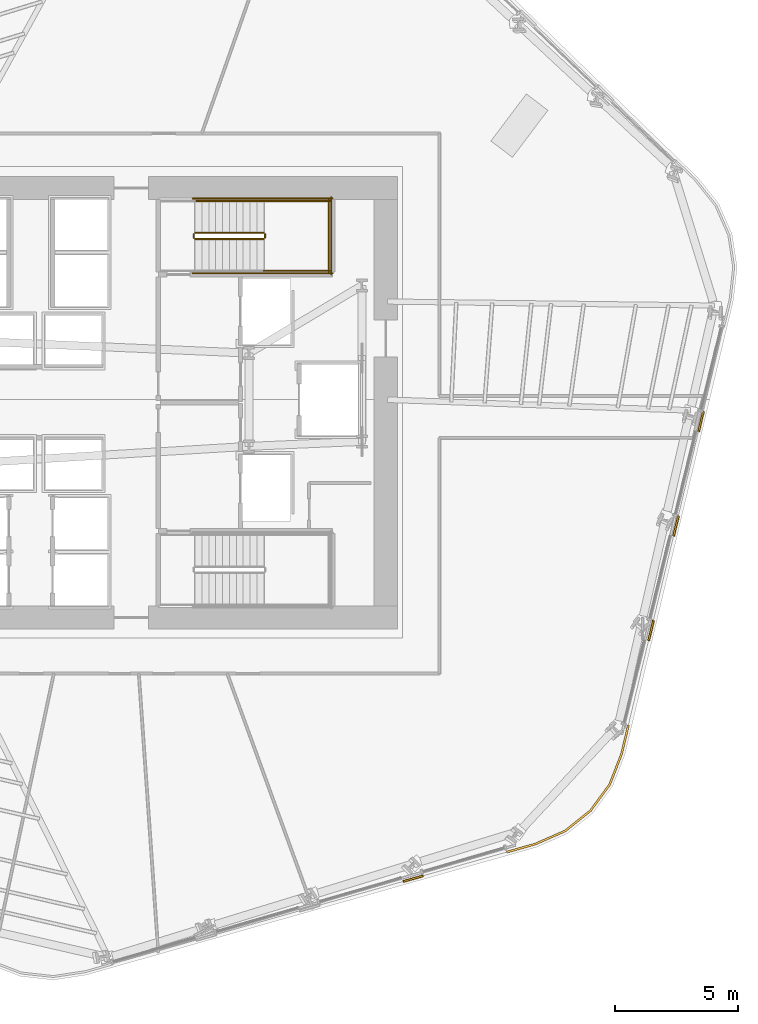
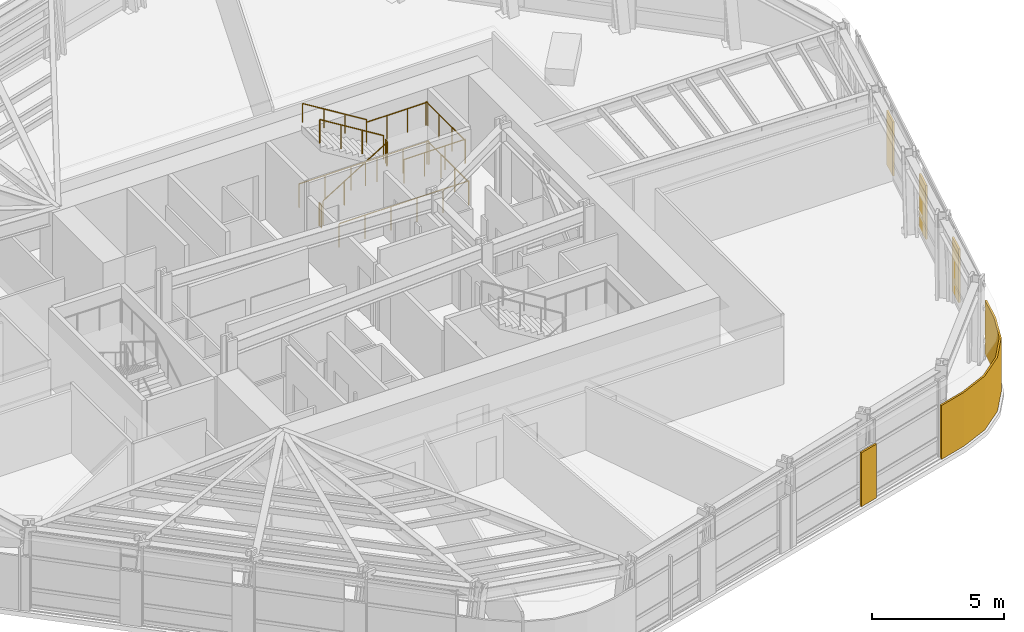
# One storey, part 13 of 15: 11 railings, 5 coverings.
"""IFC4 building model written with IfcOpenShell, lengths in metres."""

import ifcopenshell
import ifcopenshell.guid

model = None  # the IFC model being written
_history = None  # IfcOwnerHistory: only IFC2X3 demands one
_inside = {}  # id of a spatial element -> (the spatial element, [elements in it])
_under = {}  # id of a project, library or spatial element -> (it, [spatial elements below it])
_declared = {}  # id of a project -> (the project, [libraries it declares])
_typed = {}  # id of a type object -> (the type object, [elements of that type])
_made_of = {}  # id of a material, layer set ... -> (it, [elements and type objects made of it])


def new_model(schema):
    """Start an empty IFC model of exactly this schema.

    Asked for "IFC4X3", IfcOpenShell would pick the latest addendum, in which some entities
    have other attributes; the version numbers below select the first issue.
    IFC2X3 requires an IfcOwnerHistory on every rooted entity: one is made here for all.
    """
    global model, _history
    if schema == "IFC4X3":
        model = ifcopenshell.file(schema_version=(4, 3, 0, 0))
    else:
        model = ifcopenshell.file(schema=schema)
    _inside.clear()
    _under.clear()
    _declared.clear()
    _typed.clear()
    _made_of.clear()
    _history = None
    if model.schema == "IFC2X3":
        org = make("IfcOrganization", Name="unknown")
        user = make(
            "IfcPersonAndOrganization",
            ThePerson=make("IfcPerson", FamilyName="unknown"),
            TheOrganization=org,
        )
        app = make(
            "IfcApplication",
            ApplicationDeveloper=org,
            Version="unknown",
            ApplicationFullName="unknown",
            ApplicationIdentifier="unknown",
        )
        _history = make(
            "IfcOwnerHistory",
            OwningUser=user,
            OwningApplication=app,
            ChangeAction="ADDED",
            CreationDate=0,
        )
    return model


def make(cls, **values):
    """One entity of the class cls with the attributes given. An attribute that is None is left unset."""
    return model.create_entity(
        cls, **{name: value for name, value in values.items() if value is not None}
    )


def rooted(cls, **values):
    """An entity with a GlobalId (a new one), such as an element, a storey or a relation."""
    return make(cls, GlobalId=ifcopenshell.guid.new(), OwnerHistory=_history, **values)


def si_unit(unit_type, name, prefix=None):
    """IfcSIUnit, for example si_unit("LENGTHUNIT", "METRE", prefix="MILLI")."""
    return make("IfcSIUnit", UnitType=unit_type, Prefix=prefix, Name=name)


def assignment(units):
    """IfcUnitAssignment: the units of a project."""
    return None if units is None else make("IfcUnitAssignment", Units=units)


def point(xyz):
    """IfcCartesianPoint."""
    return None if xyz is None else make("IfcCartesianPoint", Coordinates=xyz)


def direction(xyz):
    """IfcDirection."""
    return None if xyz is None else make("IfcDirection", DirectionRatios=xyz)


def frame(location, z_axis=None, x_axis=None):
    """IfcAxis2Placement3D, a coordinate frame: its origin and axes. An axis left out is left unset."""
    return make(
        "IfcAxis2Placement3D",
        Location=point(location),
        Axis=direction(z_axis),
        RefDirection=direction(x_axis),
    )


def frame_2d(location, x_axis=None):
    """IfcAxis2Placement2D, a coordinate frame in the plane: its origin and x axis."""
    return make(
        "IfcAxis2Placement2D", Location=point(location), RefDirection=direction(x_axis)
    )


def origin():
    """The frame at (0, 0, 0) with its axes left unset."""
    return frame((0.0, 0.0, 0.0))


def origin_2d():
    """The frame at (0, 0) in the plane with its x axis left unset."""
    return frame_2d((0.0, 0.0))


def place(relative_to, where):
    """IfcLocalPlacement: puts the frame where relative to a parent placement (None: the world)."""
    return make(
        "IfcLocalPlacement", PlacementRelTo=relative_to, RelativePlacement=where
    )


def context(
    kind, dimensions, precision=None, world=None, true_north=None, identifier=None
):
    """IfcGeometricRepresentationContext, for example the 3D "Model" context."""
    return make(
        "IfcGeometricRepresentationContext",
        ContextIdentifier=identifier,
        ContextType=kind,
        CoordinateSpaceDimension=dimensions,
        Precision=precision,
        WorldCoordinateSystem=world,
        TrueNorth=true_north,
    )


def subcontext(parent, identifier, kind, view, scale=None):
    """IfcGeometricRepresentationSubContext, for example "Body" below "Model"."""
    return make(
        "IfcGeometricRepresentationSubContext",
        ContextIdentifier=identifier,
        ContextType=kind,
        ParentContext=parent,
        TargetScale=scale,
        TargetView=view,
    )


def project(units=None, contexts=None):
    """IfcProject with its units and contexts."""
    return rooted(
        "IfcProject",
        Name="project",
        RepresentationContexts=contexts,
        UnitsInContext=assignment(units),
    )


def spatial(cls, under=None, at=None, **own):
    """A site, building, storey or space (cls), placed at a placement, below another one or the project."""
    s = rooted(cls, ObjectPlacement=at, **own)
    if under is not None:
        _under.setdefault(under.id(), (under, []))[1].append(s)
    return s


def polyline(points):
    """IfcPolyline through the points."""
    return make("IfcPolyline", Points=[point(p) for p in points])


def profile(cls, at=None, kind="AREA", **sizes):
    """A parametric profile (cls). Its sizes go by their IFC names, for example OverallWidth=200.0."""
    return make(cls, ProfileType=kind, Position=at, **sizes)


def circle(**sizes):
    """IfcCircleProfileDef."""
    return profile("IfcCircleProfileDef", **sizes)


def outline(outer, holes=None, kind="AREA"):
    """IfcArbitraryClosedProfileDef: a profile drawn as a closed curve; with holes, ...WithVoids."""
    if holes is None:
        return make("IfcArbitraryClosedProfileDef", ProfileType=kind, OuterCurve=outer)
    return make(
        "IfcArbitraryProfileDefWithVoids",
        ProfileType=kind,
        OuterCurve=outer,
        InnerCurves=holes,
    )


def extrude(swept, where, along, depth):
    """IfcExtrudedAreaSolid: the profile swept, set in the frame where, extruded along a direction by depth."""
    return make(
        "IfcExtrudedAreaSolid",
        SweptArea=swept,
        Position=where,
        ExtrudedDirection=direction(along),
        Depth=depth,
    )


def shape(context_of_items, identifier, shape_type, items):
    """IfcShapeRepresentation: the items that make up one representation, for example the "Body"."""
    return make(
        "IfcShapeRepresentation",
        ContextOfItems=context_of_items,
        RepresentationIdentifier=identifier,
        RepresentationType=shape_type,
        Items=items,
    )


def material(Name=None, Category=None):
    """IfcMaterial."""
    return make("IfcMaterial", Name=Name, Category=Category)


def layer(
    of_material, thickness, ventilated=None, Name=None, Category=None, Priority=None
):
    """IfcMaterialLayer: one layer of a wall or slab, of a material (None: an air gap)."""
    return make(
        "IfcMaterialLayer",
        Material=of_material,
        LayerThickness=thickness,
        IsVentilated=ventilated,
        Name=Name,
        Category=Category,
        Priority=Priority,
    )


def layer_set(layers, Name=None):
    """IfcMaterialLayerSet."""
    return make("IfcMaterialLayerSet", MaterialLayers=layers, LayerSetName=Name)


def made_of(thing, what):
    """Note that an element or type object is made of a material, layer set ...; save() writes the relation."""
    if what is not None:
        _made_of.setdefault(what.id(), (what, []))[1].append(thing)
    return thing


def type_object(cls, material=None, **own):
    """A type object (cls), such as IfcWallType, which elements share."""
    return made_of(rooted(cls, **own), material)


def element(
    cls,
    number,
    at=None,
    inside=None,
    cuts=None,
    type_object=None,
    material=None,
    context=None,
    identifier="Body",
    shape_type=None,
    held_by="IfcProductDefinitionShape",
    body=None,
    shapes=None,
    **own,
):
    """One element of the class cls, such as IfcWall. Its Tag is "e" and its number.

    at: its placement. inside: the storey or other place that contains it. cuts: it is an
    opening in that element (IfcRelVoidsElement). A single representation is given by context,
    identifier, shape_type and body (its items); several are given by shapes. held_by: the class
    of the entity that holds the representations. save() writes the other relations.
    """
    e = rooted(cls, Tag="e%d" % number, ObjectPlacement=at, **own)
    if body is not None:
        shapes = [shape(context, identifier, shape_type, body)]
    if shapes is not None:
        e.Representation = make(held_by, Representations=shapes)
    if inside is not None:
        _inside.setdefault(inside.id(), (inside, []))[1].append(e)
    if cuts is not None:
        rooted(
            "IfcRelVoidsElement", RelatingBuildingElement=cuts, RelatedOpeningElement=e
        )
    if type_object is not None:
        _typed.setdefault(type_object.id(), (type_object, []))[1].append(e)
    return made_of(e, material)


def aggregate(whole, parts):
    """IfcRelAggregates: a whole, such as a stair, and the parts it consists of."""
    return rooted("IfcRelAggregates", RelatingObject=whole, RelatedObjects=parts)


def save(model, path):
    """Write the relations noted so far, then the file.

    IfcRelAggregates (storeys below a building ...), IfcRelContainedInSpatialStructure (elements
    in a storey), IfcRelDefinesByType, IfcRelAssociatesMaterial and IfcRelDeclares: one each for
    every whole, place, type object, material and project.
    """
    for whole, parts in _under.values():
        aggregate(whole, parts)
    for where, things in _inside.values():
        rooted(
            "IfcRelContainedInSpatialStructure",
            RelatedElements=things,
            RelatingStructure=where,
        )
    for kind, things in _typed.values():
        rooted("IfcRelDefinesByType", RelatedObjects=things, RelatingType=kind)
    for what, things in _made_of.values():
        rooted("IfcRelAssociatesMaterial", RelatedObjects=things, RelatingMaterial=what)
    for by, libraries in _declared.values():
        rooted("IfcRelDeclares", RelatingContext=by, RelatedDefinitions=libraries)
    model.write(path)


model = new_model("IFC4")

# Units and contexts
model_context = context("Model", 3, precision=1e-05, world=origin(), true_north=direction((0.0, 1.0)))
body_context = subcontext(model_context, "Body", "Model", "MODEL_VIEW")
ifc_project = project(units=[si_unit("LENGTHUNIT", "METRE"), si_unit("AREAUNIT", "SQUARE_METRE"), si_unit("VOLUMEUNIT", "CUBIC_METRE"), si_unit("PLANEANGLEUNIT", "RADIAN"), si_unit("MASSUNIT", "GRAM", prefix="KILO")], contexts=[model_context])

# Site, building, storey
site_placement = place(None, origin())
site = spatial("IfcSite", under=ifc_project, at=site_placement, CompositionType="ELEMENT")
building_placement = place(site_placement, origin())
building = spatial("IfcBuilding", under=site, at=building_placement, Name="Valkerne Bourse Tower", CompositionType="ELEMENT")
storey_placement = place(building_placement, frame((0.0, 0.0, 93.39990234375)))
storey = spatial("IfcBuildingStorey", under=building, at=storey_placement, Name="L23", CompositionType="ELEMENT", Elevation=93.39990234375)

# Coverings
ifc_material_1 = material(Name="Bronze Anodised Aluminium AA 6063-T6", Category="aluminium")
ifc_layer = layer(ifc_material_1, 0.06005859375)
ifc_layer_set = layer_set([ifc_layer], Name="Bronze Anodised Aluminium AA 6063-T6")
covering_type = type_object("IfcCoveringType", Name="COV-CRN-ALUM", PredefinedType="CLADDING", material=ifc_layer_set)
covering_1_placement = place(storey_placement, origin())
element("IfcCovering", 1, at=covering_1_placement, inside=storey, type_object=covering_type, Name="L23 Wind-Shaped Corner Aluminium Cladding 01", PredefinedType="CLADDING", context=body_context, shape_type="SweptSolid", body=[
    extrude(outline(polyline([(65.07958984375, 11.298828125), (64.29150390625, 10.22607421875), (63.252685546875, 9.393798828125), (62.028076171875, 8.856201171875), (60.858642578125, 8.5244140625), (60.836181640625, 8.601318359375), (62.0009765625, 8.931640625), (63.2109375, 9.462890625), (64.2333984375, 10.281982421875), (65.009033203125, 11.337890625), (65.489013671875, 12.569091796875), (65.770263671875, 13.746337890625), (65.847900390625, 13.727294921875), (65.5654296875, 12.544921875), (65.07958984375, 11.298828125)])), origin(), (0.0, 0.0, 1.0), 2.5),
])
covering_2_placement = place(storey_placement, origin())
element("IfcCovering", 2, at=covering_2_placement, inside=storey, type_object=covering_type, Name="L23 Wind-Shaped Corner Aluminium Cladding 02", PredefinedType="CLADDING", context=body_context, shape_type="SweptSolid", body=[
    extrude(outline(polyline([(56.64208984375, 7.32861328125), (56.61962890625, 7.4052734375), (57.427734375, 7.634521484375), (57.4501953125, 7.5576171875), (56.64208984375, 7.32861328125)])), origin(), (0.0, 0.0, 1.0), 2.5),
])
covering_3_placement = place(storey_placement, origin())
element("IfcCovering", 3, at=covering_3_placement, inside=storey, type_object=covering_type, Name="L23 Wind-Shaped Corner Aluminium Cladding 22", PredefinedType="CLADDING", context=body_context, shape_type="SweptSolid", body=[
    extrude(outline(polyline([(68.7080078125, 25.69970703125), (68.63037109375, 25.71875), (68.82568359375, 26.535888671875), (68.9033203125, 26.516845703125), (68.7080078125, 25.69970703125)])), origin(), (0.0, 0.0, 1.0), 2.5),
])
covering_4_placement = place(storey_placement, origin())
element("IfcCovering", 4, at=covering_4_placement, inside=storey, type_object=covering_type, Name="L23 Wind-Shaped Corner Aluminium Cladding 23", PredefinedType="CLADDING", context=body_context, shape_type="SweptSolid", body=[
    extrude(outline(polyline([(67.689697265625, 21.4365234375), (67.61181640625, 21.45556640625), (67.80712890625, 22.272705078125), (67.884765625, 22.253662109375), (67.689697265625, 21.4365234375)])), origin(), (0.0, 0.0, 1.0), 2.5),
])
covering_5_placement = place(storey_placement, origin())
element("IfcCovering", 5, at=covering_5_placement, inside=storey, type_object=covering_type, Name="L23 Wind-Shaped Corner Aluminium Cladding 24", PredefinedType="CLADDING", context=body_context, shape_type="SweptSolid", body=[
    extrude(outline(polyline([(66.671142578125, 17.17333984375), (66.593505859375, 17.1923828125), (66.788818359375, 18.009521484375), (66.866455078125, 17.990478515625), (66.671142578125, 17.17333984375)])), origin(), (0.0, 0.0, 1.0), 2.5),
])

# Railings
ifc_material_2 = material(Name="Galvanised Painted Steel", Category="steel")
railing_type_1 = type_object("IfcRailingType", Name="RLG-ST-GUARD-1120", PredefinedType="GUARDRAIL", material=ifc_material_2)
railing_1_placement = place(storey_placement, frame((48.14990234375, 33.550048828125, 0.1728515625)))
element("IfcRailing", 6, at=railing_1_placement, inside=storey, type_object=railing_type_1, Name="L23 ST-2 stair guard 1", PredefinedType="GUARDRAIL", context=body_context, shape_type="SweptSolid", body=[
    extrude(circle(Radius=0.02392578125, at=origin_2d()), frame((0.0, 0.0, 1.09619140625), z_axis=(0.851089632645, 0.0, 0.525020415988), x_axis=(0.0, 1.0, 0.0)), (0.0, 0.0, 1.0), 3.2900390625),
    extrude(circle(Radius=0.02099609375, at=origin_2d()), origin(), (0.0, 0.0, 1.0), 1.072021484375),
    extrude(circle(Radius=0.02099609375, at=origin_2d()), frame((0.933349609375, 0.0, 0.57568359375)), (0.0, 0.0, 1.0), 1.072021484375),
    extrude(circle(Radius=0.02099609375, at=origin_2d()), frame((1.86669921875, 0.0, 1.151611328125)), (0.0, 0.0, 1.0), 1.072021484375),
    extrude(circle(Radius=0.02099609375, at=origin_2d()), frame((2.800048828125, 0.0, 1.727294921875)), (0.0, 0.0, 1.0), 1.072021484375),
])
railing_2_placement = place(storey_placement, frame((51.0, 33.60009765625, 1.900146484375)))
element("IfcRailing", 7, at=railing_2_placement, inside=storey, type_object=railing_type_1, Name="L23 ST-2 stair guard 2", PredefinedType="GUARDRAIL", context=body_context, shape_type="SweptSolid", body=[
    extrude(circle(Radius=0.02392578125, at=origin_2d()), frame((0.0, 0.0, 1.09619140625), z_axis=(0.0, 1.0, 0.0), x_axis=(-1.0, 0.0, 0.0)), (0.0, 0.0, 1.0), 0.14990234375),
    extrude(circle(Radius=0.02099609375, at=origin_2d()), origin(), (0.0, 0.0, 1.0), 1.072021484375),
    extrude(circle(Radius=0.02099609375, at=origin_2d()), frame((0.0, 0.14990234375, 0.0)), (0.0, 0.0, 1.0), 1.072021484375),
])
for number, where, name in (
    (8, (50.949951171875, 32.25, 1.900146484375), "L23 ST-2 stair guard 3"),
    (9, (50.949951171875, 35.10009765625, 1.900146484375), "L23 ST-2 stair guard 4"),
):
    element("IfcRailing", number, at=place(storey_placement, frame(where)), inside=storey, type_object=railing_type_1, Name=name, PredefinedType="GUARDRAIL", context=body_context, shape_type="SweptSolid", body=[
        extrude(circle(Radius=0.02392578125, at=origin_2d()), frame((0.0, 0.0, 1.09619140625), z_axis=(1.0, 0.0, 0.0), x_axis=(0.0, 1.0, 0.0)), (0.0, 0.0, 1.0), 2.699951171875),
        extrude(circle(Radius=0.02099609375, at=origin_2d()), origin(), (0.0, 0.0, 1.0), 1.072021484375),
        extrude(circle(Radius=0.02099609375, at=origin_2d()), frame((0.89990234375, 0.0, 0.0)), (0.0, 0.0, 1.0), 1.072021484375),
        extrude(circle(Radius=0.02099609375, at=origin_2d()), frame((1.800048828125, 0.0, 0.0)), (0.0, 0.0, 1.0), 1.072021484375),
        extrude(circle(Radius=0.02099609375, at=origin_2d()), frame((2.699951171875, 0.0, 0.0)), (0.0, 0.0, 1.0), 1.072021484375),
    ])
railing_3_placement = place(storey_placement, frame((53.60009765625, 32.199951171875, 1.900146484375)))
element("IfcRailing", 10, at=railing_3_placement, inside=storey, type_object=railing_type_1, Name="L23 ST-2 stair guard 5", PredefinedType="GUARDRAIL", context=body_context, shape_type="SweptSolid", body=[
    extrude(circle(Radius=0.02392578125, at=origin_2d()), frame((0.0, 0.0, 1.09619140625), z_axis=(0.0, 1.0, 0.0), x_axis=(-1.0, 0.0, 0.0)), (0.0, 0.0, 1.0), 2.949951171875),
    extrude(circle(Radius=0.02099609375, at=origin_2d()), origin(), (0.0, 0.0, 1.0), 1.072021484375),
    extrude(circle(Radius=0.02099609375, at=origin_2d()), frame((0.0, 0.9833984375, 0.0)), (0.0, 0.0, 1.0), 1.072021484375),
    extrude(circle(Radius=0.02099609375, at=origin_2d()), frame((0.0, 1.966552734375, 0.0)), (0.0, 0.0, 1.0), 1.072021484375),
    extrude(circle(Radius=0.02099609375, at=origin_2d()), frame((0.0, 2.949951171875, 0.0)), (0.0, 0.0, 1.0), 1.072021484375),
])
railing_4_placement = place(storey_placement, frame((50.949951171875, 33.800048828125, 2.07275390625)))
element("IfcRailing", 11, at=railing_4_placement, inside=storey, type_object=railing_type_1, Name="L23 ST-2 stair guard 6", PredefinedType="GUARDRAIL", context=body_context, shape_type="SweptSolid", body=[
    extrude(circle(Radius=0.02392578125, at=origin_2d()), frame((0.0, 0.0, 1.09619140625), z_axis=(-0.851089632645, 0.0, 0.525020415988), x_axis=(0.0, -1.0, 0.0)), (0.0, 0.0, 1.0), 3.2900390625),
    extrude(circle(Radius=0.02099609375, at=origin_2d()), origin(), (0.0, 0.0, 1.0), 1.072021484375),
    extrude(circle(Radius=0.02099609375, at=origin_2d()), frame((-0.933349609375, 0.0, 0.57568359375)), (0.0, 0.0, 1.0), 1.072021484375),
    extrude(circle(Radius=0.02099609375, at=origin_2d()), frame((-1.86669921875, 0.0, 1.151611328125)), (0.0, 0.0, 1.0), 1.072021484375),
    extrude(circle(Radius=0.02099609375, at=origin_2d()), frame((-2.800048828125, 0.0, 1.727294921875)), (0.0, 0.0, 1.0), 1.072021484375),
])
railing_5_placement = place(storey_placement, frame((48.10009765625, 33.60009765625, 0.0)))
element("IfcRailing", 12, at=railing_5_placement, inside=storey, type_object=railing_type_1, Name="L23 ST-2 stair guard 7", PredefinedType="GUARDRAIL", context=body_context, shape_type="SweptSolid", body=[
    extrude(circle(Radius=0.02392578125, at=origin_2d()), frame((0.0, 0.0, 1.09619140625), z_axis=(0.0, 1.0, 0.0), x_axis=(-1.0, 0.0, 0.0)), (0.0, 0.0, 1.0), 0.14990234375),
    extrude(circle(Radius=0.02099609375, at=origin_2d()), origin(), (0.0, 0.0, 1.0), 1.072021484375),
    extrude(circle(Radius=0.02099609375, at=origin_2d()), frame((0.0, 0.14990234375, 0.0)), (0.0, 0.0, 1.0), 1.072021484375),
])
for number, where, name in (
    (13, (48.050048828125, 32.14990234375, 0.0), "L23 ST-2 stair guard 10"),
    (14, (48.050048828125, 35.199951171875, 0.0), "L23 ST-2 stair guard 11"),
):
    element("IfcRailing", number, at=place(storey_placement, frame(where)), inside=storey, type_object=railing_type_1, Name=name, PredefinedType="GUARDRAIL", context=body_context, shape_type="SweptSolid", body=[
        extrude(circle(Radius=0.02392578125, at=origin_2d()), frame((0.0, 0.0, 1.09619140625), z_axis=(1.0, 0.0, 0.0), x_axis=(0.0, 1.0, 0.0)), (0.0, 0.0, 1.0), 5.699951171875),
        extrude(circle(Radius=0.02099609375, at=origin_2d()), origin(), (0.0, 0.0, 1.0), 1.072021484375),
        extrude(circle(Radius=0.02099609375, at=origin_2d()), frame((1.139892578125, 0.0, 0.0)), (0.0, 0.0, 1.0), 1.072021484375),
        extrude(circle(Radius=0.02099609375, at=origin_2d()), frame((2.280029296875, 0.0, 0.0)), (0.0, 0.0, 1.0), 1.072021484375),
        extrude(circle(Radius=0.02099609375, at=origin_2d()), frame((3.419921875, 0.0, 0.0)), (0.0, 0.0, 1.0), 1.072021484375),
        extrude(circle(Radius=0.02099609375, at=origin_2d()), frame((4.56005859375, 0.0, 0.0)), (0.0, 0.0, 1.0), 1.072021484375),
        extrude(circle(Radius=0.02099609375, at=origin_2d()), frame((5.699951171875, 0.0, 0.0)), (0.0, 0.0, 1.0), 1.072021484375),
    ])
railing_6_placement = place(storey_placement, frame((53.699951171875, 32.10009765625, 0.0)))
element("IfcRailing", 15, at=railing_6_placement, inside=storey, type_object=railing_type_1, Name="L23 ST-2 stair guard 12", PredefinedType="GUARDRAIL", context=body_context, shape_type="SweptSolid", body=[
    extrude(circle(Radius=0.02392578125, at=origin_2d()), frame((0.0, 0.0, 1.09619140625), z_axis=(0.0, 1.0, 0.0), x_axis=(-1.0, 0.0, 0.0)), (0.0, 0.0, 1.0), 3.14990234375),
    extrude(circle(Radius=0.02099609375, at=origin_2d()), origin(), (0.0, 0.0, 1.0), 1.072021484375),
    extrude(circle(Radius=0.02099609375, at=origin_2d()), frame((0.0, 1.050048828125, 0.0)), (0.0, 0.0, 1.0), 1.072021484375),
    extrude(circle(Radius=0.02099609375, at=origin_2d()), frame((0.0, 2.099853515625, 0.0)), (0.0, 0.0, 1.0), 1.072021484375),
    extrude(circle(Radius=0.02099609375, at=origin_2d()), frame((0.0, 3.14990234375, 0.0)), (0.0, 0.0, 1.0), 1.072021484375),
])
ifc_material_3 = material(Name="Stainless Steel AISI 316", Category="steel")
railing_type_2 = type_object("IfcRailingType", Name="RLG-ST-HANDRAIL-900", PredefinedType="HANDRAIL", material=ifc_material_3)
railing_7_placement = place(storey_placement, frame((50.949951171875, 35.10009765625, 2.24560546875)))
element("IfcRailing", 16, at=railing_7_placement, inside=storey, type_object=railing_type_2, Name="L23 ST-2 stair handrail 2", PredefinedType="HANDRAIL", context=body_context, shape_type="SweptSolid", body=[
    extrude(circle(Radius=0.02392578125, at=origin_2d()), frame((0.0, 0.0, 0.8759765625), z_axis=(-0.851089632645, 0.0, 0.525020415988), x_axis=(0.0, -1.0, 0.0)), (0.0, 0.0, 1.0), 3.2900390625),
    extrude(circle(Radius=0.02099609375, at=origin_2d()), origin(), (0.0, 0.0, 1.0), 0.851806640625),
    extrude(circle(Radius=0.02099609375, at=origin_2d()), frame((-0.933349609375, 0.0, 0.57568359375)), (0.0, 0.0, 1.0), 0.851806640625),
    extrude(circle(Radius=0.02099609375, at=origin_2d()), frame((-1.86669921875, 0.0, 1.151611328125)), (0.0, 0.0, 1.0), 0.851806640625),
    extrude(circle(Radius=0.02099609375, at=origin_2d()), frame((-2.800048828125, 0.0, 1.727294921875)), (0.0, 0.0, 1.0), 0.851806640625),
])

save(model, "model.ifc")
